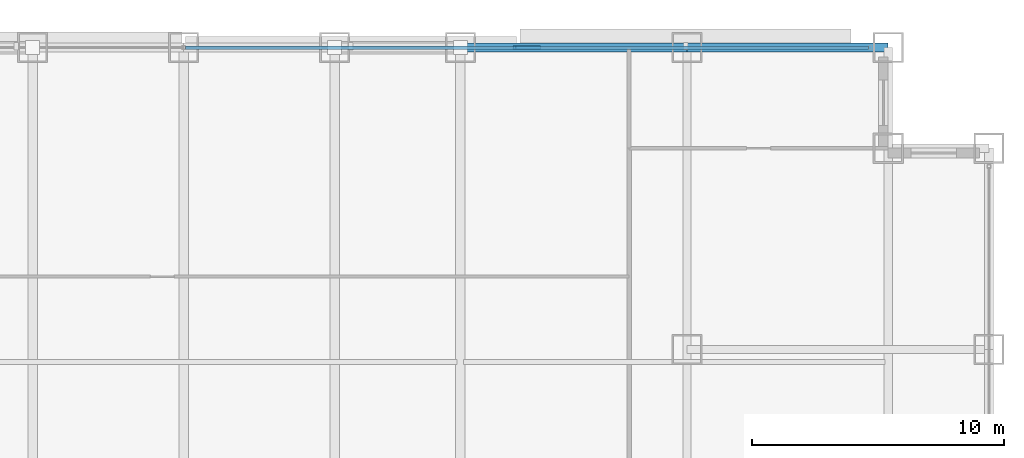
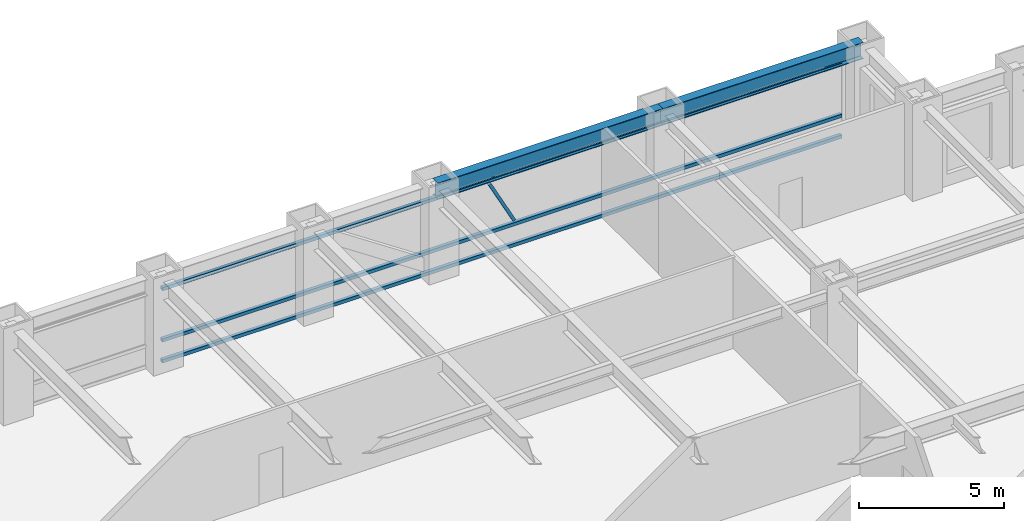
# One storey, part 20 of 32: 4 members, 2 beams, 1 element without a shape of its own.
"""IFC4 building model written with IfcOpenShell, lengths in metres."""

from ifc_helpers import new_model, si_unit, direction, frame, origin, origin_2d, place, context, subcontext, project, spatial, hollow_rectangle, i_section, extrude, source, transform, mapped, material, material_profile, profile_set, type_object, element, aggregate, save


model = new_model("IFC4")

# Units and contexts
model_context = context("Model", 3, precision=1e-05, world=origin(), true_north=direction((0.0, 1.0)))
body_context = subcontext(model_context, "Body", "Model", "MODEL_VIEW")
ifc_project = project(units=[si_unit("LENGTHUNIT", "METRE"), si_unit("AREAUNIT", "SQUARE_METRE"), si_unit("VOLUMEUNIT", "CUBIC_METRE"), si_unit("PLANEANGLEUNIT", "RADIAN"), si_unit("MASSUNIT", "GRAM", prefix="KILO")], contexts=[model_context])

# Site, building, storey
site_placement = place(None, origin())
site = spatial("IfcSite", under=ifc_project, at=site_placement, CompositionType="ELEMENT")
building_placement = place(site_placement, origin())
building = spatial("IfcBuilding", under=site, at=building_placement, Name="Khorayat Bourse Tower", CompositionType="ELEMENT")
storey_placement = place(building_placement, frame((0.0, 0.0, 95.5)))
storey = spatial("IfcBuildingStorey", under=building, at=storey_placement, Name="L21", CompositionType="ELEMENT", Elevation=95.5)

# Beams
ifc_material_1 = material(Name="Steel ASTM A992 Grade 50", Category="steel")
ifc_material_profile_1 = material_profile(ifc_material_1, i_section(OverallWidth=0.35498046875, OverallDepth=0.695068359375, WebThickness=0.015380859375, FlangeThickness=0.02490234375, FilletRadius=0.01806640625, at=origin_2d()), Name="W690X217")
ifc_profile_set_1 = profile_set([ifc_material_profile_1], Name="Steel ASTM A992 Grade 50")
beam_type = type_object("IfcBeamType", Name="BM-SPAN-690", PredefinedType="SPANDREL", material=ifc_profile_set_1)
shared_shape_1 = source(origin(), body_context, "Body", "SweptSolid", [
    extrude(i_section(OverallWidth=0.35498046875, OverallDepth=0.695068359375, WebThickness=0.015380859375, FlangeThickness=0.02490234375, FilletRadius=0.01806640625, at=origin_2d()), origin(), (0.0, 0.0, 1.0), 9.0),
])
beam_1_placement = place(storey_placement, frame((11.0, 32.0, 3.492431640625), z_axis=(1.0, 0.0, 0.0), x_axis=(0.0, 1.0, 0.0)))
element("IfcBeam", 1, at=beam_1_placement, inside=storey, type_object=beam_type, Name="L21 BM-SPAN-690 BM-L21-SPN-045", PredefinedType="SPANDREL", context=body_context, shape_type="MappedRepresentation", body=[
    mapped(shared_shape_1, transform((0.0, 0.0, 0.0), scale=1.0)),
])
shared_shape_2 = source(origin(), body_context, "Body", "SweptSolid", [
    extrude(i_section(OverallWidth=0.35498046875, OverallDepth=0.695068359375, WebThickness=0.015380859375, FlangeThickness=0.02490234375, FilletRadius=0.01806640625, at=origin_2d()), origin(), (0.0, 0.0, 1.0), 8.0),
])
beam_2_placement = place(storey_placement, frame((20.0, 32.0, 3.492431640625), z_axis=(1.0, 0.0, 0.0), x_axis=(0.0, 1.0, 0.0)))
element("IfcBeam", 2, at=beam_2_placement, inside=storey, type_object=beam_type, Name="L21 BM-SPAN-690 BM-L21-SPN-044", PredefinedType="SPANDREL", context=body_context, shape_type="MappedRepresentation", body=[
    mapped(shared_shape_2, transform((0.0, 0.0, 0.0), scale=1.0)),
])

# Curtain wall, members
ifc_material_2 = material(Name="Aluminium EN AW-6063 T6", Category="aluminium")
curtain_wall_type = type_object("IfcCurtainWallType", Name="CW-SYS-02", PredefinedType="NOTDEFINED", material=ifc_material_2)
curtain_wall_placement = place(storey_placement, origin())
curtain_wall = element("IfcCurtainWall", 3, at=curtain_wall_placement, inside=storey, type_object=curtain_wall_type, Name="L21 Curtain Wall CW-L21-N1", PredefinedType="NOTDEFINED")
ifc_material_profile_2 = material_profile(ifc_material_2, hollow_rectangle(XDim=0.139892578125, YDim=0.139892578125, WallThickness=0.006103515625, at=origin_2d()), Name="ALU 140x140x6")
ifc_profile_set_2 = profile_set([ifc_material_profile_2], Name="Aluminium EN AW-6063 T6")
member_type_1 = type_object("IfcMemberType", Name="CWT-HORZ-140", PredefinedType="USERDEFINED", material=ifc_profile_set_2)
shared_shape_3 = source(origin(), body_context, "Body", "SweptSolid", [
    extrude(hollow_rectangle(XDim=0.139892578125, YDim=0.139892578125, WallThickness=0.006103515625, at=origin_2d()), origin(), (0.0, 0.0, 1.0), 27.139892578125),
])
member_1_placement = place(storey_placement, frame((0.070068359375, 32.0, 0.070068359375), z_axis=(1.0, 0.0, 0.0), x_axis=(0.0, 1.0, 0.0)))
member_1 = element("IfcMember", 4, at=member_1_placement, type_object=member_type_1, Name="CW-L21-N1 Horizontal Transom 2-1", ObjectType="TRANSOM", PredefinedType="USERDEFINED", context=body_context, shape_type="MappedRepresentation", body=[
    mapped(shared_shape_3, transform((0.0, 0.0, 0.0), scale=1.0)),
])
member_2_placement = place(storey_placement, frame((0.070068359375, 32.0, 0.949951171875), z_axis=(1.0, 0.0, 0.0), x_axis=(0.0, 1.0, 0.0)))
member_2 = element("IfcMember", 5, at=member_2_placement, type_object=member_type_1, Name="CW-L21-N1 Horizontal Transom 2-2", ObjectType="TRANSOM", PredefinedType="USERDEFINED", context=body_context, shape_type="MappedRepresentation", body=[
    mapped(shared_shape_3, transform((0.0, 0.0, 0.0), scale=1.0)),
])
member_3_placement = place(storey_placement, frame((0.070068359375, 32.0, 3.1201171875), z_axis=(1.0, 0.0, 0.0), x_axis=(0.0, 1.0, 0.0)))
member_3 = element("IfcMember", 6, at=member_3_placement, type_object=member_type_1, Name="CW-L21-N1 Horizontal Transom 2-3", ObjectType="TRANSOM", PredefinedType="USERDEFINED", context=body_context, shape_type="MappedRepresentation", body=[
    mapped(shared_shape_3, transform((0.0, 0.0, 0.0), scale=1.0)),
])
ifc_material_profile_3 = material_profile(ifc_material_2, hollow_rectangle(XDim=0.1201171875, YDim=0.1201171875, WallThickness=0.0048828125, at=origin_2d()), Name="ALU 120x120x5")
ifc_profile_set_3 = profile_set([ifc_material_profile_3], Name="Aluminium EN AW-6063 T6")
member_type_2 = type_object("IfcMemberType", Name="CWM-DIAG-120", PredefinedType="MULLION", material=ifc_profile_set_3)
shared_shape_4 = source(origin(), body_context, "Body", "SweptSolid", [
    extrude(hollow_rectangle(XDim=0.1201171875, YDim=0.1201171875, WallThickness=0.0048828125, at=origin_2d()), origin(), (0.0, 0.0, 1.0), 2.113037109375),
])
member_4_placement = place(storey_placement, frame((14.132080078125, 32.0, 1.10009765625), z_axis=(-0.465741670874, 0.0, 0.884920728659), x_axis=(0.0, -1.0, 0.0)))
member_4 = element("IfcMember", 7, at=member_4_placement, type_object=member_type_2, Name="CW-L21-N1 Faceted Diagonal Mullion 2", PredefinedType="MULLION", context=body_context, shape_type="MappedRepresentation", body=[
    mapped(shared_shape_4, transform((0.0, 0.0, 0.0), scale=1.0)),
])
aggregate(curtain_wall, [member_1, member_2, member_3, member_4])

save(model, "model.ifc")
